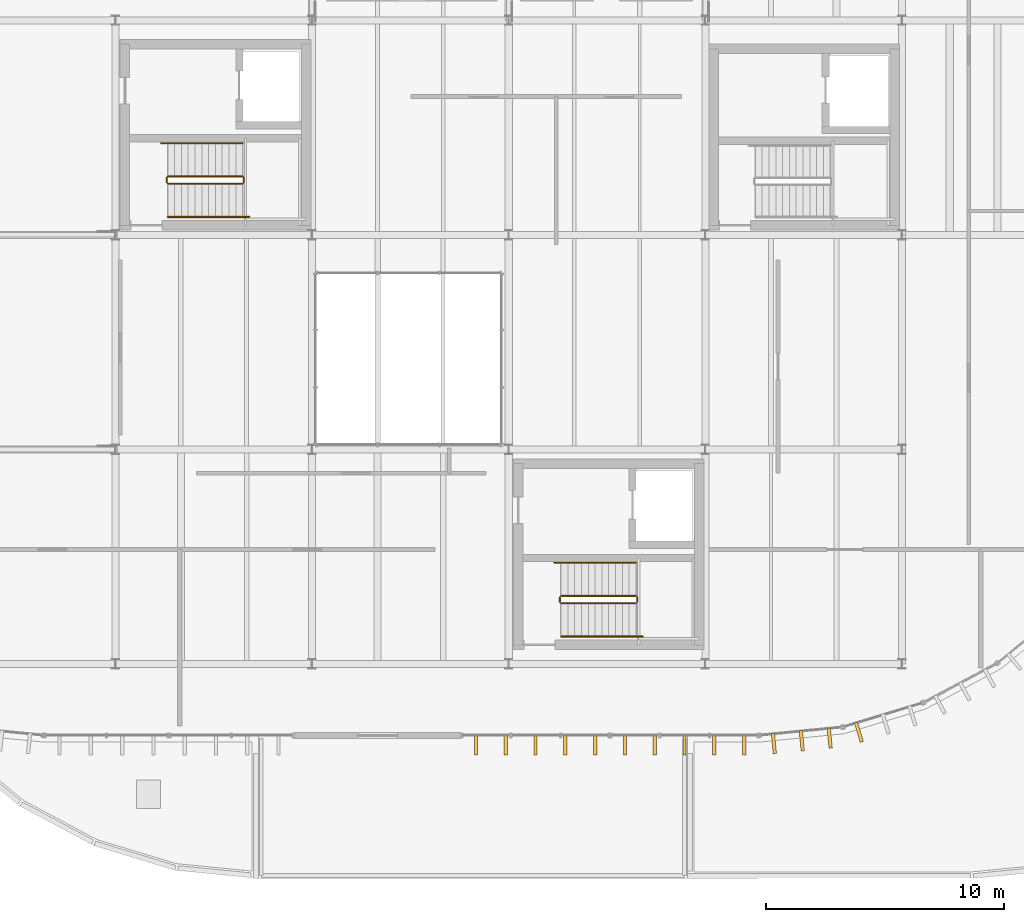
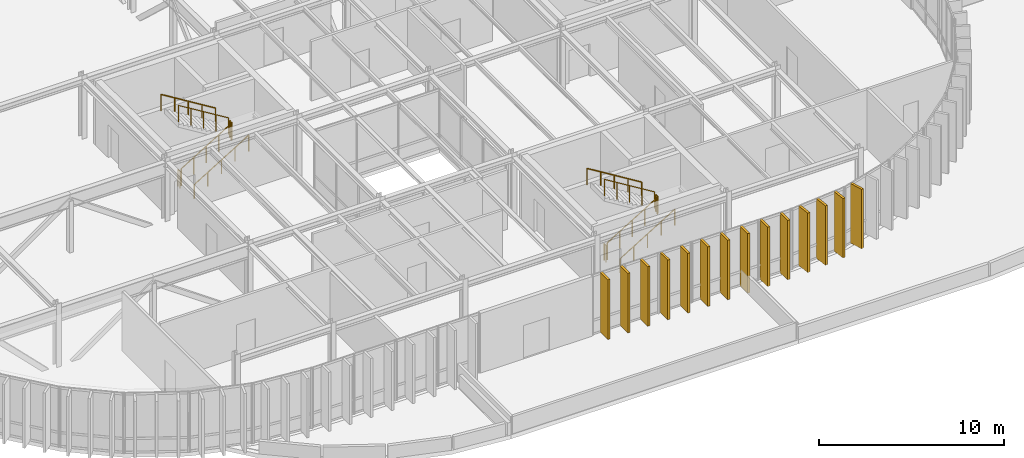
# One storey, part 26 of 29: 14 coverings, 12 railings.
"""IFC4 building model written with IfcOpenShell, lengths in metres."""

import ifcopenshell
import ifcopenshell.guid

model = None  # the IFC model being written
_history = None  # IfcOwnerHistory: only IFC2X3 demands one
_inside = {}  # id of a spatial element -> (the spatial element, [elements in it])
_under = {}  # id of a project, library or spatial element -> (it, [spatial elements below it])
_declared = {}  # id of a project -> (the project, [libraries it declares])
_typed = {}  # id of a type object -> (the type object, [elements of that type])
_made_of = {}  # id of a material, layer set ... -> (it, [elements and type objects made of it])


def new_model(schema):
    """Start an empty IFC model of exactly this schema.

    Asked for "IFC4X3", IfcOpenShell would pick the latest addendum, in which some entities
    have other attributes; the version numbers below select the first issue.
    IFC2X3 requires an IfcOwnerHistory on every rooted entity: one is made here for all.
    """
    global model, _history
    if schema == "IFC4X3":
        model = ifcopenshell.file(schema_version=(4, 3, 0, 0))
    else:
        model = ifcopenshell.file(schema=schema)
    _inside.clear()
    _under.clear()
    _declared.clear()
    _typed.clear()
    _made_of.clear()
    _history = None
    if model.schema == "IFC2X3":
        org = make("IfcOrganization", Name="unknown")
        user = make(
            "IfcPersonAndOrganization",
            ThePerson=make("IfcPerson", FamilyName="unknown"),
            TheOrganization=org,
        )
        app = make(
            "IfcApplication",
            ApplicationDeveloper=org,
            Version="unknown",
            ApplicationFullName="unknown",
            ApplicationIdentifier="unknown",
        )
        _history = make(
            "IfcOwnerHistory",
            OwningUser=user,
            OwningApplication=app,
            ChangeAction="ADDED",
            CreationDate=0,
        )
    return model


def make(cls, **values):
    """One entity of the class cls with the attributes given. An attribute that is None is left unset."""
    return model.create_entity(
        cls, **{name: value for name, value in values.items() if value is not None}
    )


def rooted(cls, **values):
    """An entity with a GlobalId (a new one), such as an element, a storey or a relation."""
    return make(cls, GlobalId=ifcopenshell.guid.new(), OwnerHistory=_history, **values)


def si_unit(unit_type, name, prefix=None):
    """IfcSIUnit, for example si_unit("LENGTHUNIT", "METRE", prefix="MILLI")."""
    return make("IfcSIUnit", UnitType=unit_type, Prefix=prefix, Name=name)


def assignment(units):
    """IfcUnitAssignment: the units of a project."""
    return None if units is None else make("IfcUnitAssignment", Units=units)


def point(xyz):
    """IfcCartesianPoint."""
    return None if xyz is None else make("IfcCartesianPoint", Coordinates=xyz)


def direction(xyz):
    """IfcDirection."""
    return None if xyz is None else make("IfcDirection", DirectionRatios=xyz)


def frame(location, z_axis=None, x_axis=None):
    """IfcAxis2Placement3D, a coordinate frame: its origin and axes. An axis left out is left unset."""
    return make(
        "IfcAxis2Placement3D",
        Location=point(location),
        Axis=direction(z_axis),
        RefDirection=direction(x_axis),
    )


def frame_2d(location, x_axis=None):
    """IfcAxis2Placement2D, a coordinate frame in the plane: its origin and x axis."""
    return make(
        "IfcAxis2Placement2D", Location=point(location), RefDirection=direction(x_axis)
    )


def origin():
    """The frame at (0, 0, 0) with its axes left unset."""
    return frame((0.0, 0.0, 0.0))


def origin_2d():
    """The frame at (0, 0) in the plane with its x axis left unset."""
    return frame_2d((0.0, 0.0))


def place(relative_to, where):
    """IfcLocalPlacement: puts the frame where relative to a parent placement (None: the world)."""
    return make(
        "IfcLocalPlacement", PlacementRelTo=relative_to, RelativePlacement=where
    )


def context(
    kind, dimensions, precision=None, world=None, true_north=None, identifier=None
):
    """IfcGeometricRepresentationContext, for example the 3D "Model" context."""
    return make(
        "IfcGeometricRepresentationContext",
        ContextIdentifier=identifier,
        ContextType=kind,
        CoordinateSpaceDimension=dimensions,
        Precision=precision,
        WorldCoordinateSystem=world,
        TrueNorth=true_north,
    )


def subcontext(parent, identifier, kind, view, scale=None):
    """IfcGeometricRepresentationSubContext, for example "Body" below "Model"."""
    return make(
        "IfcGeometricRepresentationSubContext",
        ContextIdentifier=identifier,
        ContextType=kind,
        ParentContext=parent,
        TargetScale=scale,
        TargetView=view,
    )


def project(units=None, contexts=None):
    """IfcProject with its units and contexts."""
    return rooted(
        "IfcProject",
        Name="project",
        RepresentationContexts=contexts,
        UnitsInContext=assignment(units),
    )


def spatial(cls, under=None, at=None, **own):
    """A site, building, storey or space (cls), placed at a placement, below another one or the project."""
    s = rooted(cls, ObjectPlacement=at, **own)
    if under is not None:
        _under.setdefault(under.id(), (under, []))[1].append(s)
    return s


def profile(cls, at=None, kind="AREA", **sizes):
    """A parametric profile (cls). Its sizes go by their IFC names, for example OverallWidth=200.0."""
    return make(cls, ProfileType=kind, Position=at, **sizes)


def rectangle(**sizes):
    """IfcRectangleProfileDef."""
    return profile("IfcRectangleProfileDef", **sizes)


def circle(**sizes):
    """IfcCircleProfileDef."""
    return profile("IfcCircleProfileDef", **sizes)


def extrude(swept, where, along, depth):
    """IfcExtrudedAreaSolid: the profile swept, set in the frame where, extruded along a direction by depth."""
    return make(
        "IfcExtrudedAreaSolid",
        SweptArea=swept,
        Position=where,
        ExtrudedDirection=direction(along),
        Depth=depth,
    )


def shape(context_of_items, identifier, shape_type, items):
    """IfcShapeRepresentation: the items that make up one representation, for example the "Body"."""
    return make(
        "IfcShapeRepresentation",
        ContextOfItems=context_of_items,
        RepresentationIdentifier=identifier,
        RepresentationType=shape_type,
        Items=items,
    )


def material(Name=None, Category=None):
    """IfcMaterial."""
    return make("IfcMaterial", Name=Name, Category=Category)


def layer(
    of_material, thickness, ventilated=None, Name=None, Category=None, Priority=None
):
    """IfcMaterialLayer: one layer of a wall or slab, of a material (None: an air gap)."""
    return make(
        "IfcMaterialLayer",
        Material=of_material,
        LayerThickness=thickness,
        IsVentilated=ventilated,
        Name=Name,
        Category=Category,
        Priority=Priority,
    )


def layer_set(layers, Name=None):
    """IfcMaterialLayerSet."""
    return make("IfcMaterialLayerSet", MaterialLayers=layers, LayerSetName=Name)


def made_of(thing, what):
    """Note that an element or type object is made of a material, layer set ...; save() writes the relation."""
    if what is not None:
        _made_of.setdefault(what.id(), (what, []))[1].append(thing)
    return thing


def type_object(cls, material=None, **own):
    """A type object (cls), such as IfcWallType, which elements share."""
    return made_of(rooted(cls, **own), material)


def element(
    cls,
    number,
    at=None,
    inside=None,
    cuts=None,
    type_object=None,
    material=None,
    context=None,
    identifier="Body",
    shape_type=None,
    held_by="IfcProductDefinitionShape",
    body=None,
    shapes=None,
    **own,
):
    """One element of the class cls, such as IfcWall. Its Tag is "e" and its number.

    at: its placement. inside: the storey or other place that contains it. cuts: it is an
    opening in that element (IfcRelVoidsElement). A single representation is given by context,
    identifier, shape_type and body (its items); several are given by shapes. held_by: the class
    of the entity that holds the representations. save() writes the other relations.
    """
    e = rooted(cls, Tag="e%d" % number, ObjectPlacement=at, **own)
    if body is not None:
        shapes = [shape(context, identifier, shape_type, body)]
    if shapes is not None:
        e.Representation = make(held_by, Representations=shapes)
    if inside is not None:
        _inside.setdefault(inside.id(), (inside, []))[1].append(e)
    if cuts is not None:
        rooted(
            "IfcRelVoidsElement", RelatingBuildingElement=cuts, RelatedOpeningElement=e
        )
    if type_object is not None:
        _typed.setdefault(type_object.id(), (type_object, []))[1].append(e)
    return made_of(e, material)


def aggregate(whole, parts):
    """IfcRelAggregates: a whole, such as a stair, and the parts it consists of."""
    return rooted("IfcRelAggregates", RelatingObject=whole, RelatedObjects=parts)


def save(model, path):
    """Write the relations noted so far, then the file.

    IfcRelAggregates (storeys below a building ...), IfcRelContainedInSpatialStructure (elements
    in a storey), IfcRelDefinesByType, IfcRelAssociatesMaterial and IfcRelDeclares: one each for
    every whole, place, type object, material and project.
    """
    for whole, parts in _under.values():
        aggregate(whole, parts)
    for where, things in _inside.values():
        rooted(
            "IfcRelContainedInSpatialStructure",
            RelatedElements=things,
            RelatingStructure=where,
        )
    for kind, things in _typed.values():
        rooted("IfcRelDefinesByType", RelatedObjects=things, RelatingType=kind)
    for what, things in _made_of.values():
        rooted("IfcRelAssociatesMaterial", RelatedObjects=things, RelatingMaterial=what)
    for by, libraries in _declared.values():
        rooted("IfcRelDeclares", RelatingContext=by, RelatedDefinitions=libraries)
    model.write(path)


model = new_model("IFC4")

# Units and contexts
model_context = context("Model", 3, precision=1e-05, world=origin(), true_north=direction((0.0, 1.0)))
body_context = subcontext(model_context, "Body", "Model", "MODEL_VIEW")
ifc_project = project(units=[si_unit("LENGTHUNIT", "METRE"), si_unit("AREAUNIT", "SQUARE_METRE"), si_unit("VOLUMEUNIT", "CUBIC_METRE"), si_unit("PLANEANGLEUNIT", "RADIAN"), si_unit("MASSUNIT", "GRAM", prefix="KILO")], contexts=[model_context])

# Site, building, storey
site_placement = place(None, origin())
site = spatial("IfcSite", under=ifc_project, at=site_placement, CompositionType="ELEMENT")
building_placement = place(site_placement, origin())
building = spatial("IfcBuilding", under=site, at=building_placement, Name="Montealbar Specialist Clinic", CompositionType="ELEMENT")
storey_placement = place(building_placement, frame((0.0, 0.0, 22.199951171875)))
storey = spatial("IfcBuildingStorey", under=building, at=storey_placement, Name="L05", CompositionType="ELEMENT", Elevation=22.199951171875)

# Coverings
ifc_material_1 = material(Name="Thermally modified timber cladding", Category="wood")
ifc_layer_1 = layer(ifc_material_1, 0.139892578125, Name="Thermally modified timber cladding", Category="wood")
ifc_layer_set_1 = layer_set([ifc_layer_1], Name="Thermally modified timber cladding")
covering_type = type_object("IfcCoveringType", Name="COV-FIN-TIMBER-850", PredefinedType="CLADDING", material=ifc_layer_set_1)
for number, where, z_axis, x_axis, name in (
    (1, (97.19091796875, 6.134033203125, 0.0), (0.0, 0.0, 1.0), (0.290259134399, -0.956948083701, 0.0), "Vertical Timber Solar Fin CF-L05-0441"),
    (2, (95.966064453125, 5.889892578125, 0.0), (0.0, 0.0, 1.0), (0.098044697094, -0.995182012183, 0.0), "Vertical Timber Solar Fin CF-L05-0442"),
    (3, (94.794921875, 5.77490234375, 0.0), (0.0, 0.0, 1.0), (0.098044697094, -0.995182012183, 0.0), "Vertical Timber Solar Fin CF-L05-0443"),
    (4, (93.625, 5.659912109375, 0.0), (0.0, 0.0, 1.0), (0.098044697094, -0.995182012183, 0.0), "Vertical Timber Solar Fin CF-L05-0444"),
    (5, (81.125, 5.60009765625, 0.0), (0.0, 0.0, 1.0), (0.0, -1.0, 0.0), "Vertical Timber Solar Fin CF-L05-0453"),
    (6, (82.375, 5.60009765625, 0.0), (0.0, 0.0, 1.0), (0.0, -1.0, 0.0), "Vertical Timber Solar Fin CF-L05-0454"),
    (7, (83.625, 5.60009765625, 0.0), (0.0, 0.0, 1.0), (0.0, -1.0, 0.0), "Vertical Timber Solar Fin CF-L05-0455"),
    (8, (84.875, 5.60009765625, 0.0), (0.0, 0.0, 1.0), (0.0, -1.0, 0.0), "Vertical Timber Solar Fin CF-L05-0456"),
    (9, (86.125, 5.60009765625, 0.0), (0.0, 0.0, 1.0), (0.0, -1.0, 0.0), "Vertical Timber Solar Fin CF-L05-0457"),
    (10, (87.375, 5.60009765625, 0.0), (0.0, 0.0, 1.0), (0.0, -1.0, 0.0), "Vertical Timber Solar Fin CF-L05-0458"),
    (11, (88.625, 5.60009765625, 0.0), (0.0, 0.0, 1.0), (0.0, -1.0, 0.0), "Vertical Timber Solar Fin CF-L05-0459"),
    (12, (89.875, 5.60009765625, 0.0), (0.0, 0.0, 1.0), (0.0, -1.0, 0.0), "Vertical Timber Solar Fin CF-L05-0460"),
    (13, (91.125, 5.60009765625, 0.0), (0.0, 0.0, 1.0), (0.0, -1.0, 0.0), "Vertical Timber Solar Fin CF-L05-0461"),
    (14, (92.375, 5.60009765625, 0.0), (0.0, 0.0, 1.0), (0.0, -1.0, 0.0), "Vertical Timber Solar Fin CF-L05-0462"),
):
    element("IfcCovering", number, at=place(storey_placement, frame(where, z_axis=z_axis, x_axis=x_axis)), inside=storey, type_object=covering_type, Name=name, PredefinedType="CLADDING", context=body_context, shape_type="SweptSolid", body=[
        extrude(rectangle(XDim=0.85009765625, YDim=0.139892578125, at=origin_2d()), origin(), (0.0, 0.0, 1.0), 3.93994140625),
    ])

# Railings
ifc_material_2 = material(Name="Steel S355", Category="steel")
ifc_layer_2 = layer(ifc_material_2, 0.050048828125, Name="Steel S355", Category="steel")
ifc_layer_set_2 = layer_set([ifc_layer_2], Name="Steel S355")
railing_type_1 = type_object("IfcRailingType", Name="RAIL-STAIR-BAL-1100", PredefinedType="BALUSTRADE", material=ifc_layer_set_2)
railing_1_placement = place(storey_placement, frame((68.199951171875, 29.14990234375, 0.175048828125)))
element("IfcRailing", 15, at=railing_1_placement, inside=storey, type_object=railing_type_1, Name="L05 ST-03 stair guard 1", PredefinedType="BALUSTRADE", context=body_context, shape_type="SweptSolid", body=[
    extrude(circle(Radius=0.02392578125, at=origin_2d()), frame((0.0, 0.0, 1.076171875), z_axis=(0.852166034122, 0.0, 0.523271488128), x_axis=(0.0, 1.0, 0.0)), (0.0, 0.0, 1.0), 3.678955078125),
    extrude(circle(Radius=0.02099609375, at=origin_2d()), frame((0.0, 0.0, -0.02490234375)), (0.0, 0.0, 1.0), 1.076904296875),
    extrude(circle(Radius=0.02099609375, at=origin_2d()), frame((0.78369140625, 0.0, 0.456298828125)), (0.0, 0.0, 1.0), 1.076904296875),
    extrude(circle(Radius=0.02099609375, at=origin_2d()), frame((1.5673828125, 0.0, 0.9375)), (0.0, 0.0, 1.0), 1.076904296875),
    extrude(circle(Radius=0.02099609375, at=origin_2d()), frame((2.351318359375, 0.0, 1.418701171875)), (0.0, 0.0, 1.0), 1.076904296875),
    extrude(circle(Radius=0.02099609375, at=origin_2d()), frame((3.135009765625, 0.0, 1.900146484375)), (0.0, 0.0, 1.0), 1.076904296875),
])
railing_2_placement = place(storey_placement, frame((71.385009765625, 29.199951171875, 2.10009765625)))
element("IfcRailing", 16, at=railing_2_placement, inside=storey, type_object=railing_type_1, Name="L05 ST-03 stair guard 2", PredefinedType="BALUSTRADE", context=body_context, shape_type="SweptSolid", body=[
    extrude(circle(Radius=0.02392578125, at=origin_2d()), frame((0.0, 0.0, 1.076171875), z_axis=(0.0, 1.0, 0.0), x_axis=(-1.0, 0.0, 0.0)), (0.0, 0.0, 1.0), 0.199951171875),
    extrude(circle(Radius=0.02099609375, at=origin_2d()), frame((0.0, 0.0, -0.02490234375)), (0.0, 0.0, 1.0), 1.076904296875),
    extrude(circle(Radius=0.02099609375, at=origin_2d()), frame((0.0, 0.199951171875, -0.02490234375)), (0.0, 0.0, 1.0), 1.076904296875),
])
railing_3_placement = place(storey_placement, frame((71.3349609375, 29.449951171875, 2.275146484375)))
element("IfcRailing", 17, at=railing_3_placement, inside=storey, type_object=railing_type_1, Name="L05 ST-03 stair guard 3", PredefinedType="BALUSTRADE", context=body_context, shape_type="SweptSolid", body=[
    extrude(circle(Radius=0.02392578125, at=origin_2d()), frame((0.0, 0.0, 1.076171875), z_axis=(-0.852195625947, 0.0, 0.523223293744), x_axis=(0.0, -1.0, 0.0)), (0.0, 0.0, 1.0), 3.6787109375),
    extrude(circle(Radius=0.02099609375, at=origin_2d()), frame((0.0, 0.0, -0.02490234375)), (0.0, 0.0, 1.0), 1.076904296875),
    extrude(circle(Radius=0.02099609375, at=origin_2d()), frame((-0.78369140625, 0.0, 0.456298828125)), (0.0, 0.0, 1.0), 1.076904296875),
    extrude(circle(Radius=0.02099609375, at=origin_2d()), frame((-1.5673828125, 0.0, 0.9375)), (0.0, 0.0, 1.0), 1.076904296875),
    extrude(circle(Radius=0.02099609375, at=origin_2d()), frame((-2.351318359375, 0.0, 1.418701171875)), (0.0, 0.0, 1.0), 1.076904296875),
    extrude(circle(Radius=0.02099609375, at=origin_2d()), frame((-3.135009765625, 0.0, 1.89990234375)), (0.0, 0.0, 1.0), 1.076904296875),
])
railing_4_placement = place(storey_placement, frame((68.14990234375, 29.199951171875, 0.0)))
element("IfcRailing", 18, at=railing_4_placement, inside=storey, type_object=railing_type_1, Name="L05 ST-03 stair guard 4", PredefinedType="BALUSTRADE", context=body_context, shape_type="SweptSolid", body=[
    extrude(circle(Radius=0.02392578125, at=origin_2d()), frame((0.0, 0.0, 1.076171875), z_axis=(0.0, 1.0, 0.0), x_axis=(-1.0, 0.0, 0.0)), (0.0, 0.0, 1.0), 0.199951171875),
    extrude(circle(Radius=0.02099609375, at=origin_2d()), frame((0.0, 0.0, -0.02490234375)), (0.0, 0.0, 1.0), 1.076904296875),
    extrude(circle(Radius=0.02099609375, at=origin_2d()), frame((0.0, 0.199951171875, -0.02490234375)), (0.0, 0.0, 1.0), 1.076904296875),
])
railing_5_placement = place(storey_placement, frame((84.699951171875, 11.550048828125, 0.175048828125)))
element("IfcRailing", 19, at=railing_5_placement, inside=storey, type_object=railing_type_1, Name="L05 ST-04 stair guard 1", PredefinedType="BALUSTRADE", context=body_context, shape_type="SweptSolid", body=[
    extrude(circle(Radius=0.02392578125, at=origin_2d()), frame((0.0, 0.0, 1.076171875), z_axis=(0.852166034122, 0.0, 0.523271488128), x_axis=(0.0, 1.0, 0.0)), (0.0, 0.0, 1.0), 3.678955078125),
    extrude(circle(Radius=0.02099609375, at=origin_2d()), frame((0.0, 0.0, -0.02490234375)), (0.0, 0.0, 1.0), 1.076904296875),
    extrude(circle(Radius=0.02099609375, at=origin_2d()), frame((0.78369140625, 0.0, 0.456298828125)), (0.0, 0.0, 1.0), 1.076904296875),
    extrude(circle(Radius=0.02099609375, at=origin_2d()), frame((1.5673828125, 0.0, 0.9375)), (0.0, 0.0, 1.0), 1.076904296875),
    extrude(circle(Radius=0.02099609375, at=origin_2d()), frame((2.351318359375, 0.0, 1.418701171875)), (0.0, 0.0, 1.0), 1.076904296875),
    extrude(circle(Radius=0.02099609375, at=origin_2d()), frame((3.135009765625, 0.0, 1.900146484375)), (0.0, 0.0, 1.0), 1.076904296875),
])
railing_6_placement = place(storey_placement, frame((87.885009765625, 11.60009765625, 2.10009765625)))
element("IfcRailing", 20, at=railing_6_placement, inside=storey, type_object=railing_type_1, Name="L05 ST-04 stair guard 2", PredefinedType="BALUSTRADE", context=body_context, shape_type="SweptSolid", body=[
    extrude(circle(Radius=0.02392578125, at=origin_2d()), frame((0.0, 0.0, 1.076171875), z_axis=(0.0, 1.0, 0.0), x_axis=(-1.0, 0.0, 0.0)), (0.0, 0.0, 1.0), 0.199951171875),
    extrude(circle(Radius=0.02099609375, at=origin_2d()), frame((0.0, 0.0, -0.02490234375)), (0.0, 0.0, 1.0), 1.076904296875),
    extrude(circle(Radius=0.02099609375, at=origin_2d()), frame((0.0, 0.199951171875, -0.02490234375)), (0.0, 0.0, 1.0), 1.076904296875),
])
railing_7_placement = place(storey_placement, frame((87.8349609375, 11.85009765625, 2.275146484375)))
element("IfcRailing", 21, at=railing_7_placement, inside=storey, type_object=railing_type_1, Name="L05 ST-04 stair guard 3", PredefinedType="BALUSTRADE", context=body_context, shape_type="SweptSolid", body=[
    extrude(circle(Radius=0.02392578125, at=origin_2d()), frame((0.0, 0.0, 1.076171875), z_axis=(-0.852195625947, 0.0, 0.523223293744), x_axis=(0.0, -1.0, 0.0)), (0.0, 0.0, 1.0), 3.6787109375),
    extrude(circle(Radius=0.02099609375, at=origin_2d()), frame((0.0, 0.0, -0.02490234375)), (0.0, 0.0, 1.0), 1.076904296875),
    extrude(circle(Radius=0.02099609375, at=origin_2d()), frame((-0.78369140625, 0.0, 0.456298828125)), (0.0, 0.0, 1.0), 1.076904296875),
    extrude(circle(Radius=0.02099609375, at=origin_2d()), frame((-1.5673828125, 0.0, 0.9375)), (0.0, 0.0, 1.0), 1.076904296875),
    extrude(circle(Radius=0.02099609375, at=origin_2d()), frame((-2.351318359375, 0.0, 1.418701171875)), (0.0, 0.0, 1.0), 1.076904296875),
    extrude(circle(Radius=0.02099609375, at=origin_2d()), frame((-3.135009765625, 0.0, 1.89990234375)), (0.0, 0.0, 1.0), 1.076904296875),
])
railing_8_placement = place(storey_placement, frame((84.64990234375, 11.60009765625, 0.0)))
element("IfcRailing", 22, at=railing_8_placement, inside=storey, type_object=railing_type_1, Name="L05 ST-04 stair guard 4", PredefinedType="BALUSTRADE", context=body_context, shape_type="SweptSolid", body=[
    extrude(circle(Radius=0.02392578125, at=origin_2d()), frame((0.0, 0.0, 1.076171875), z_axis=(0.0, 1.0, 0.0), x_axis=(-1.0, 0.0, 0.0)), (0.0, 0.0, 1.0), 0.199951171875),
    extrude(circle(Radius=0.02099609375, at=origin_2d()), frame((0.0, 0.0, -0.02490234375)), (0.0, 0.0, 1.0), 1.076904296875),
    extrude(circle(Radius=0.02099609375, at=origin_2d()), frame((0.0, 0.199951171875, -0.02490234375)), (0.0, 0.0, 1.0), 1.076904296875),
])
ifc_layer_3 = layer(ifc_material_2, 0.044921875, Name="Steel S355", Category="steel")
ifc_layer_set_3 = layer_set([ifc_layer_3], Name="Steel S355")
railing_type_2 = type_object("IfcRailingType", Name="RAIL-STAIR-HR-900", PredefinedType="HANDRAIL", material=ifc_layer_set_3)
railing_9_placement = place(storey_placement, frame((68.199951171875, 27.75, 0.175048828125)))
element("IfcRailing", 23, at=railing_9_placement, inside=storey, type_object=railing_type_2, Name="L05 ST-03 stair handrail 1", PredefinedType="HANDRAIL", context=body_context, shape_type="SweptSolid", body=[
    extrude(circle(Radius=0.02392578125, at=origin_2d()), frame((0.0, 0.0, 0.8759765625), z_axis=(0.852171701593, 0.0, 0.523262258341), x_axis=(0.0, 1.0, 0.0)), (0.0, 0.0, 1.0), 4.013427734375),
    extrude(circle(Radius=0.02099609375, at=origin_2d()), frame((0.0, 0.0, -0.02490234375)), (0.0, 0.0, 1.0), 0.876708984375),
    extrude(circle(Radius=0.02099609375, at=origin_2d()), frame((0.85498046875, 0.0, 0.5)), (0.0, 0.0, 1.0), 0.876708984375),
    extrude(circle(Radius=0.02099609375, at=origin_2d()), frame((1.7099609375, 0.0, 1.025146484375)), (0.0, 0.0, 1.0), 0.876708984375),
    extrude(circle(Radius=0.02099609375, at=origin_2d()), frame((2.565185546875, 0.0, 1.550048828125)), (0.0, 0.0, 1.0), 0.876708984375),
    extrude(circle(Radius=0.02099609375, at=origin_2d()), frame((3.420166015625, 0.0, 1.900146484375)), (0.0, 0.0, 1.0), 1.0517578125),
])
railing_10_placement = place(storey_placement, frame((71.3349609375, 30.85009765625, 2.275146484375)))
element("IfcRailing", 24, at=railing_10_placement, inside=storey, type_object=railing_type_2, Name="L05 ST-03 stair handrail 2", PredefinedType="HANDRAIL", context=body_context, shape_type="SweptSolid", body=[
    extrude(circle(Radius=0.02392578125, at=origin_2d()), frame((0.0, 0.0, 0.8759765625), z_axis=(-0.852182171552, 0.0, 0.523245206847), x_axis=(0.0, -1.0, 0.0)), (0.0, 0.0, 1.0), 4.01318359375),
    extrude(circle(Radius=0.02099609375, at=origin_2d()), frame((0.0, 0.0, -0.02490234375)), (0.0, 0.0, 1.0), 0.876708984375),
    extrude(circle(Radius=0.02099609375, at=origin_2d()), frame((-0.85498046875, 0.0, 0.5)), (0.0, 0.0, 1.0), 0.876708984375),
    extrude(circle(Radius=0.02099609375, at=origin_2d()), frame((-1.7099609375, 0.0, 1.02490234375)), (0.0, 0.0, 1.0), 0.876708984375),
    extrude(circle(Radius=0.02099609375, at=origin_2d()), frame((-2.56494140625, 0.0, 1.5498046875)), (0.0, 0.0, 1.0), 0.876708984375),
    extrude(circle(Radius=0.02099609375, at=origin_2d()), frame((-3.419921875, 0.0, 1.89990234375)), (0.0, 0.0, 1.0), 1.0517578125),
])
railing_11_placement = place(storey_placement, frame((84.699951171875, 10.14990234375, 0.175048828125)))
element("IfcRailing", 25, at=railing_11_placement, inside=storey, type_object=railing_type_2, Name="L05 ST-04 stair handrail 1", PredefinedType="HANDRAIL", context=body_context, shape_type="SweptSolid", body=[
    extrude(circle(Radius=0.02392578125, at=origin_2d()), frame((0.0, 0.0, 0.8759765625), z_axis=(0.852171701593, 0.0, 0.523262258341), x_axis=(0.0, 1.0, 0.0)), (0.0, 0.0, 1.0), 4.013427734375),
    extrude(circle(Radius=0.02099609375, at=origin_2d()), frame((0.0, 0.0, -0.02490234375)), (0.0, 0.0, 1.0), 0.876708984375),
    extrude(circle(Radius=0.02099609375, at=origin_2d()), frame((0.85498046875, 0.0, 0.5)), (0.0, 0.0, 1.0), 0.876708984375),
    extrude(circle(Radius=0.02099609375, at=origin_2d()), frame((1.7099609375, 0.0, 1.025146484375)), (0.0, 0.0, 1.0), 0.876708984375),
    extrude(circle(Radius=0.02099609375, at=origin_2d()), frame((2.565185546875, 0.0, 1.550048828125)), (0.0, 0.0, 1.0), 0.876708984375),
    extrude(circle(Radius=0.02099609375, at=origin_2d()), frame((3.420166015625, 0.0, 1.900146484375)), (0.0, 0.0, 1.0), 1.0517578125),
])
railing_12_placement = place(storey_placement, frame((87.8349609375, 13.25, 2.275146484375)))
element("IfcRailing", 26, at=railing_12_placement, inside=storey, type_object=railing_type_2, Name="L05 ST-04 stair handrail 2", PredefinedType="HANDRAIL", context=body_context, shape_type="SweptSolid", body=[
    extrude(circle(Radius=0.02392578125, at=origin_2d()), frame((0.0, 0.0, 0.8759765625), z_axis=(-0.852182171552, 0.0, 0.523245206847), x_axis=(0.0, -1.0, 0.0)), (0.0, 0.0, 1.0), 4.01318359375),
    extrude(circle(Radius=0.02099609375, at=origin_2d()), frame((0.0, 0.0, -0.02490234375)), (0.0, 0.0, 1.0), 0.876708984375),
    extrude(circle(Radius=0.02099609375, at=origin_2d()), frame((-0.85498046875, 0.0, 0.5)), (0.0, 0.0, 1.0), 0.876708984375),
    extrude(circle(Radius=0.02099609375, at=origin_2d()), frame((-1.7099609375, 0.0, 1.02490234375)), (0.0, 0.0, 1.0), 0.876708984375),
    extrude(circle(Radius=0.02099609375, at=origin_2d()), frame((-2.56494140625, 0.0, 1.5498046875)), (0.0, 0.0, 1.0), 0.876708984375),
    extrude(circle(Radius=0.02099609375, at=origin_2d()), frame((-3.419921875, 0.0, 1.89990234375)), (0.0, 0.0, 1.0), 1.0517578125),
])

save(model, "model.ifc")
